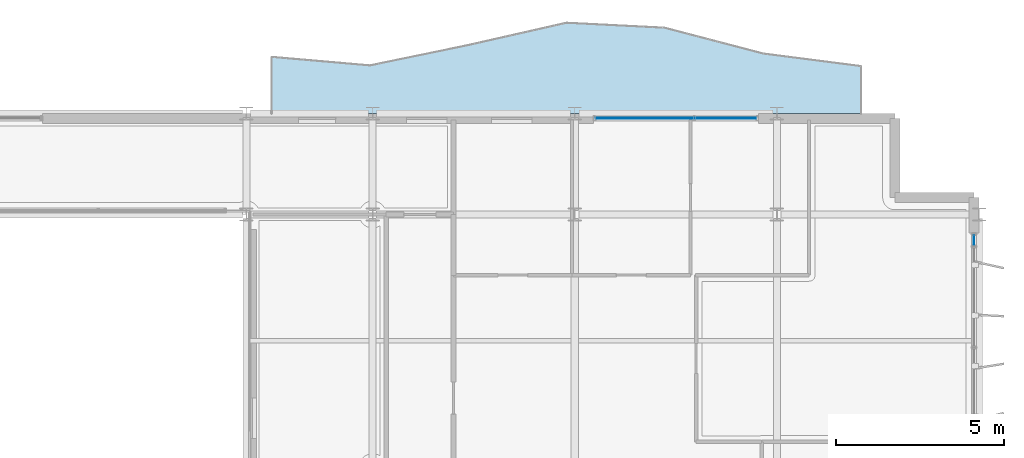
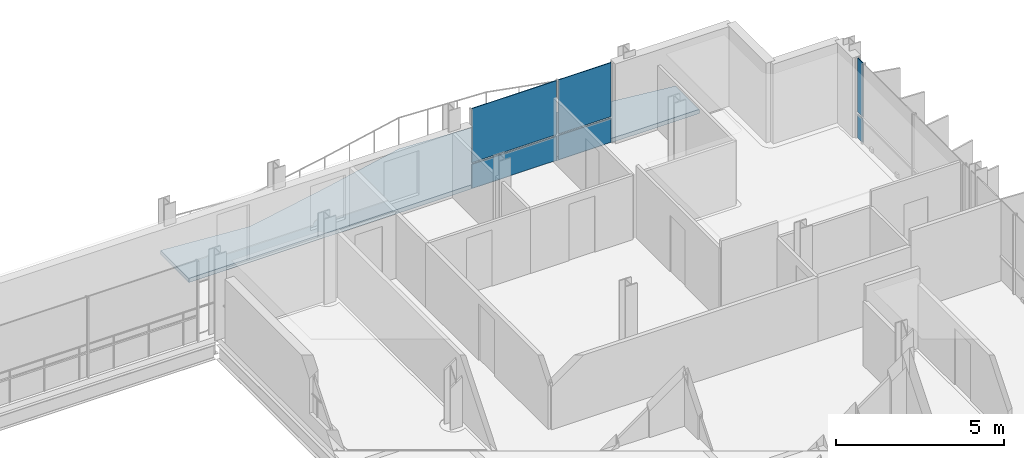
# One storey, part 27 of 38: 6 plates, 1 slab, 2 elements without a shape of their own.
"""IFC4 building model written with IfcOpenShell, lengths in metres."""

from ifc_helpers import new_model, si_unit, direction, frame, origin, origin_2d, place, context, subcontext, project, spatial, polyline, rectangle, outline, extrude, material, layer, layer_set, type_object, element, aggregate, save


model = new_model("IFC4")

# Units and contexts
model_context = context("Model", 3, precision=1e-05, world=origin(), true_north=direction((0.0, 1.0)))
body_context = subcontext(model_context, "Body", "Model", "MODEL_VIEW")
ifc_project = project(units=[si_unit("LENGTHUNIT", "METRE"), si_unit("AREAUNIT", "SQUARE_METRE"), si_unit("VOLUMEUNIT", "CUBIC_METRE"), si_unit("PLANEANGLEUNIT", "RADIAN"), si_unit("MASSUNIT", "GRAM", prefix="KILO")], contexts=[model_context])

# Site, building, storey
site_placement = place(None, origin())
site = spatial("IfcSite", under=ifc_project, at=site_placement, CompositionType="ELEMENT")
building_placement = place(site_placement, origin())
building = spatial("IfcBuilding", under=site, at=building_placement, Name="Brevholm Reach", CompositionType="ELEMENT")
storey_placement = place(building_placement, frame((0.0, 0.0, 186.300048828125)))
storey = spatial("IfcBuildingStorey", under=building, at=storey_placement, Name="L56", CompositionType="ELEMENT", Elevation=186.300048828125)

# Curtain wall, plates
ifc_material_1 = material(Name="Dark Anodised Aluminium 6063-T6 and Solar-Control Glass", Category="aluminium")
ifc_layer_1 = layer(ifc_material_1, 0.14990234375)
ifc_layer_set_1 = layer_set([ifc_layer_1], Name="Dark Anodised Aluminium 6063-T6 and Solar-Control Glass")
curtain_wall_type = type_object("IfcCurtainWallType", Name="CW-01", PredefinedType="NOTDEFINED", material=ifc_layer_set_1)
curtain_wall_1_placement = place(storey_placement, origin())
curtain_wall_1 = element("IfcCurtainWall", 1, at=curtain_wall_1_placement, inside=storey, type_object=curtain_wall_type, Name="L56 Curtain Wall CW-01", PredefinedType="NOTDEFINED")
ifc_material_2 = material(Name="Dark Solar-Control Double-Glazed IGU Glass", Category="glass")
ifc_layer_2 = layer(ifc_material_2, 0.028076171875)
ifc_layer_set_2 = layer_set([ifc_layer_2], Name="Dark Solar-Control Double-Glazed IGU Glass")
plate_type = type_object("IfcPlateType", Name="CWP-GLZ-28", PredefinedType="CURTAIN_PANEL", material=ifc_layer_set_2)
plate_1_placement = place(storey_placement, frame((59.85009765625, 22.733642578125, 0.0), z_axis=(0.0, 0.0, 1.0), x_axis=(0.0, 1.0, 0.0)))
plate_1 = element("IfcPlate", 2, at=plate_1_placement, type_object=plate_type, Name="CP-01 Glazing Panel 5.1", PredefinedType="CURTAIN_PANEL", context=body_context, shape_type="SweptSolid", body=[
    extrude(rectangle(XDim=0.302490234375, YDim=0.028076171875, at=origin_2d()), origin(), (0.0, 0.0, 1.0), 0.867431640625),
])
plate_2_placement = place(storey_placement, frame((59.85009765625, 22.733642578125, 0.932373046875), z_axis=(0.0, 0.0, 1.0), x_axis=(0.0, 1.0, 0.0)))
plate_2 = element("IfcPlate", 3, at=plate_2_placement, type_object=plate_type, Name="CP-01 Glazing Panel 5.2", PredefinedType="CURTAIN_PANEL", context=body_context, shape_type="SweptSolid", body=[
    extrude(rectangle(XDim=0.302490234375, YDim=0.028076171875, at=origin_2d()), origin(), (0.0, 0.0, 1.0), 1.95751953125),
])
aggregate(curtain_wall_1, [plate_1, plate_2])

curtain_wall_2_placement = place(storey_placement, origin())
curtain_wall_2 = element("IfcCurtainWall", 4, at=curtain_wall_2_placement, inside=storey, type_object=curtain_wall_type, Name="L56 Curtain Wall CW-01", PredefinedType="NOTDEFINED")
plate_3_placement = place(storey_placement, frame((50.066162109375, 26.35009765625, 0.0), z_axis=(0.0, 0.0, 1.0), x_axis=(1.0, 0.0, 0.0)))
plate_3 = element("IfcPlate", 5, at=plate_3_placement, type_object=plate_type, Name="CP-01 Glazing Panel 1.1", PredefinedType="CURTAIN_PANEL", context=body_context, shape_type="SweptSolid", body=[
    extrude(rectangle(XDim=2.902587890625, YDim=0.028076171875, at=origin_2d()), origin(), (0.0, 0.0, 1.0), 0.867431640625),
])
plate_4_placement = place(storey_placement, frame((50.066162109375, 26.35009765625, 0.932373046875), z_axis=(0.0, 0.0, 1.0), x_axis=(1.0, 0.0, 0.0)))
plate_4 = element("IfcPlate", 6, at=plate_4_placement, type_object=plate_type, Name="CP-01 Glazing Panel 1.2", PredefinedType="CURTAIN_PANEL", context=body_context, shape_type="SweptSolid", body=[
    extrude(rectangle(XDim=2.902587890625, YDim=0.028076171875, at=origin_2d()), origin(), (0.0, 0.0, 1.0), 1.95751953125),
])
plate_5_placement = place(storey_placement, frame((52.483642578125, 26.35009765625, 0.0), z_axis=(0.0, 0.0, 1.0), x_axis=(1.0, 0.0, 0.0)))
plate_5 = element("IfcPlate", 7, at=plate_5_placement, type_object=plate_type, Name="CP-01 Glazing Panel 2.1", PredefinedType="CURTAIN_PANEL", context=body_context, shape_type="SweptSolid", body=[
    extrude(rectangle(XDim=1.802490234375, YDim=0.028076171875, at=origin_2d()), origin(), (0.0, 0.0, 1.0), 0.867431640625),
])
plate_6_placement = place(storey_placement, frame((52.483642578125, 26.35009765625, 0.932373046875), z_axis=(0.0, 0.0, 1.0), x_axis=(1.0, 0.0, 0.0)))
plate_6 = element("IfcPlate", 8, at=plate_6_placement, type_object=plate_type, Name="CP-01 Glazing Panel 2.2", PredefinedType="CURTAIN_PANEL", context=body_context, shape_type="SweptSolid", body=[
    extrude(rectangle(XDim=1.802490234375, YDim=0.028076171875, at=origin_2d()), origin(), (0.0, 0.0, 1.0), 1.95751953125),
])
aggregate(curtain_wall_2, [plate_3, plate_4, plate_5, plate_6])

# Slab
ifc_material_3 = material(Name="Precast Concrete C45/55", Category="concrete")
ifc_layer_3 = layer(ifc_material_3, 0.14990234375)
ifc_layer_set_3 = layer_set([ifc_layer_3], Name="Precast Concrete C45/55")
slab_type = type_object("IfcSlabType", Name="SLB-BAL-150", PredefinedType="FLOOR", material=ifc_layer_set_3)
slab_placement = place(storey_placement, frame((0.0, 0.0, -0.150146484375)))
element("IfcSlab", 9, at=slab_placement, inside=storey, type_object=slab_type, Name="L56 Rippling External Balcony NE", PredefinedType="FLOOR", context=body_context, shape_type="SweptSolid", body=[
    extrude(outline(polyline([(39.0, 26.5), (56.5, 26.5), (56.5, 27.90380859375), (53.583251953125, 28.279052734375), (50.666748046875, 29.0439453125), (47.75, 29.191650390625), (44.833251953125, 28.52783203125), (41.916748046875, 27.926025390625), (39.0, 28.17822265625), (39.0, 26.5)])), origin(), (0.0, 0.0, 1.0), 0.150146484375),
])

save(model, "model.ifc")
